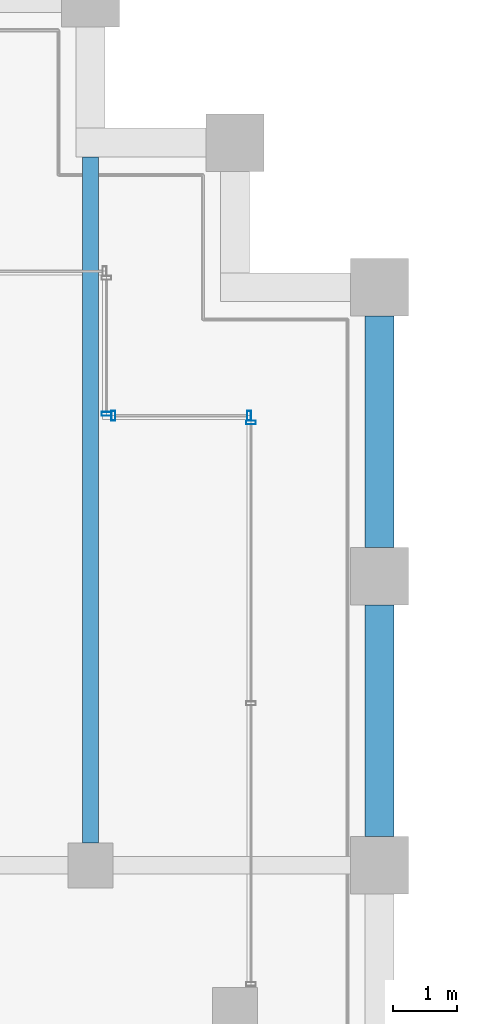
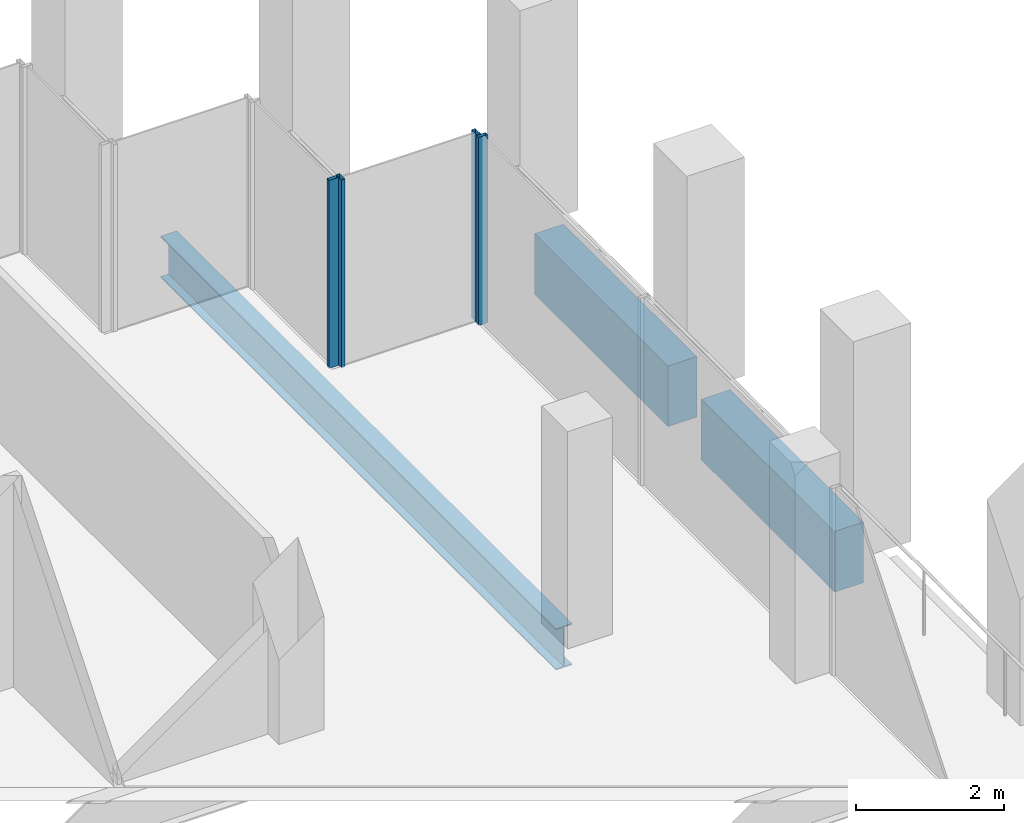
# One storey, part 25 of 40: 4 members, 3 beams, 3 elements without a shape of their own.
"""IFC4 building model written with IfcOpenShell, lengths in metres."""

from ifc_helpers import new_model, si_unit, direction, frame, origin, origin_2d, place, context, subcontext, project, spatial, rectangle, hollow_rectangle, i_section, extrude, material, material_profile, profile_set, type_object, element, aggregate, save


model = new_model("IFC4")

# Units and contexts
model_context = context("Model", 3, precision=1e-05, world=origin(), true_north=direction((0.0, 1.0)))
body_context = subcontext(model_context, "Body", "Model", "MODEL_VIEW")
ifc_project = project(units=[si_unit("LENGTHUNIT", "METRE"), si_unit("AREAUNIT", "SQUARE_METRE"), si_unit("VOLUMEUNIT", "CUBIC_METRE"), si_unit("PLANEANGLEUNIT", "RADIAN"), si_unit("MASSUNIT", "GRAM", prefix="KILO")], contexts=[model_context])

# Site, building, storey
site_placement = place(None, origin())
site = spatial("IfcSite", under=ifc_project, at=site_placement, CompositionType="ELEMENT")
building_placement = place(site_placement, origin())
building = spatial("IfcBuilding", under=site, at=building_placement, Name="Altepetl Exchange Towers", CompositionType="ELEMENT")
storey_placement = place(building_placement, frame((0.0, 0.0, 158.199951171875)))
storey = spatial("IfcBuildingStorey", under=building, at=storey_placement, Name="L39", CompositionType="ELEMENT", Elevation=158.199951171875)

# Beam
ifc_material_1 = material(Name="Steel S355", Category="steel")
ifc_material_profile_1 = material_profile(ifc_material_1, i_section(OverallWidth=0.25390625, OverallDepth=0.68408203125, WebThickness=0.012451171875, FlangeThickness=0.018798828125, at=origin_2d()), Name="W27X94")
ifc_profile_set_1 = profile_set([ifc_material_profile_1], Name="Steel S355")
beam_type_1 = type_object("IfcBeamType", Name="Floor beam W27X94", PredefinedType="BEAM", material=ifc_profile_set_1)
beam_placement = place(storey_placement, frame((67.5, 58.85009765625, -0.491943359375), z_axis=(0.0, 1.0, 0.0), x_axis=(-1.0, 0.0, 0.0)))
element("IfcBeam", 1, at=beam_placement, inside=storey, type_object=beam_type_1, Name="bm:A:L39:005", PredefinedType="BEAM", context=body_context, shape_type="SweptSolid", body=[
    extrude(i_section(OverallWidth=0.25390625, OverallDepth=0.68408203125, WebThickness=0.012451171875, FlangeThickness=0.018798828125, at=origin_2d()), origin(), (0.0, 0.0, 1.0), 10.6748046875),
])

# Curtain wall, member
ifc_material_2 = material(Name="Aluminium 6063-T6 glazing", Category="aluminium")
curtain_wall_type = type_object("IfcCurtainWallType", Name="Loggia glazing system", PredefinedType="NOTDEFINED", material=ifc_material_2)
curtain_wall_1_placement = place(storey_placement, origin())
curtain_wall_1 = element("IfcCurtainWall", 2, at=curtain_wall_1_placement, inside=storey, type_object=curtain_wall_type, Name="CW1 run", PredefinedType="NOTDEFINED")
ifc_material_3 = material(Name="Aluminium 6063-T6", Category="aluminium")
ifc_material_profile_2 = material_profile(ifc_material_3, hollow_rectangle(XDim=0.06005859375, YDim=0.14990234375, WallThickness=0.0029296875, at=origin_2d()), Name="Mullion 60x150 aluminium")
ifc_profile_set_2 = profile_set([ifc_material_profile_2], Name="Aluminium 6063-T6")
member_type = type_object("IfcMemberType", Name="Mullion 60x150 aluminium", PredefinedType="MULLION", material=ifc_profile_set_2)
member_1_placement = place(storey_placement, frame((70.0, 65.39501953125, 0.0), z_axis=(0.0, 0.0, 1.0), x_axis=(0.0, 1.0, 0.0)))
member_1 = element("IfcMember", 3, at=member_1_placement, type_object=member_type, Name="MU1 mullion", PredefinedType="MULLION", context=body_context, shape_type="SweptSolid", body=[
    extrude(hollow_rectangle(XDim=0.06005859375, YDim=0.14990234375, WallThickness=0.0029296875, at=origin_2d()), origin(), (0.0, 0.0, 1.0), 3.10009765625),
])
aggregate(curtain_wall_1, [member_1])

# Curtain wall, members
curtain_wall_2_placement = place(storey_placement, origin())
curtain_wall_2 = element("IfcCurtainWall", 4, at=curtain_wall_2_placement, inside=storey, type_object=curtain_wall_type, Name="CW1 run", PredefinedType="NOTDEFINED")
member_2_placement = place(storey_placement, frame((69.969970703125, 65.5, 0.0), z_axis=(0.0, 0.0, 1.0), x_axis=(-1.0, 0.0, 0.0)))
member_2 = element("IfcMember", 5, at=member_2_placement, type_object=member_type, Name="MU1 mullion", PredefinedType="MULLION", context=body_context, shape_type="SweptSolid", body=[
    extrude(hollow_rectangle(XDim=0.06005859375, YDim=0.14990234375, WallThickness=0.0029296875, at=origin_2d()), origin(), (0.0, 0.0, 1.0), 3.10009765625),
])
member_3_placement = place(storey_placement, frame((67.85498046875, 65.5, 0.0), z_axis=(0.0, 0.0, 1.0), x_axis=(-1.0, 0.0, 0.0)))
member_3 = element("IfcMember", 6, at=member_3_placement, type_object=member_type, Name="MU1 mullion", PredefinedType="MULLION", context=body_context, shape_type="SweptSolid", body=[
    extrude(hollow_rectangle(XDim=0.06005859375, YDim=0.14990234375, WallThickness=0.0029296875, at=origin_2d()), origin(), (0.0, 0.0, 1.0), 3.10009765625),
])
aggregate(curtain_wall_2, [member_2, member_3])

# Curtain wall, member
curtain_wall_3_placement = place(storey_placement, origin())
curtain_wall_3 = element("IfcCurtainWall", 7, at=curtain_wall_3_placement, inside=storey, type_object=curtain_wall_type, Name="CW1 run", PredefinedType="NOTDEFINED")
member_4_placement = place(storey_placement, frame((67.75, 65.530029296875, 0.0), z_axis=(0.0, 0.0, 1.0), x_axis=(0.0, 1.0, 0.0)))
member_4 = element("IfcMember", 8, at=member_4_placement, type_object=member_type, Name="MU1 mullion", PredefinedType="MULLION", context=body_context, shape_type="SweptSolid", body=[
    extrude(hollow_rectangle(XDim=0.06005859375, YDim=0.14990234375, WallThickness=0.0029296875, at=origin_2d()), origin(), (0.0, 0.0, 1.0), 3.10009765625),
])
aggregate(curtain_wall_3, [member_4])

# Beams
ifc_material_4 = material(Name="Concrete C50/60 precast with cantera rosa facing", Category="concrete")
ifc_material_profile_3 = material_profile(ifc_material_4, rectangle(XDim=0.449951171875, YDim=1.0, at=origin_2d()), Name="450 x 1000")
ifc_profile_set_3 = profile_set([ifc_material_profile_3], Name="Concrete C50/60 precast with cantera rosa facing")
beam_type_2 = type_object("IfcBeamType", Name="Spandrel beam 450x1000 cantera rosa", PredefinedType="SPANDREL", material=ifc_profile_set_3)
for number, where, z_axis, x_axis, name in (
    (9, (72.0, 58.949951171875, -0.64990234375), (0.0, 1.0, 0.0), (-1.0, 0.0, 0.0), "sp:A:L39:018"),
    (10, (72.0, 63.449951171875, -0.64990234375), (0.0, 1.0, 0.0), (-1.0, 0.0, 0.0), "sp:A:L39:019"),
):
    element("IfcBeam", number, at=place(storey_placement, frame(where, z_axis=z_axis, x_axis=x_axis)), inside=storey, type_object=beam_type_2, Name=name, PredefinedType="SPANDREL", context=body_context, shape_type="SweptSolid", body=[
        extrude(rectangle(XDim=0.449951171875, YDim=1.0, at=origin_2d()), origin(), (0.0, 0.0, 1.0), 3.60009765625),
    ])

save(model, "model.ifc")
